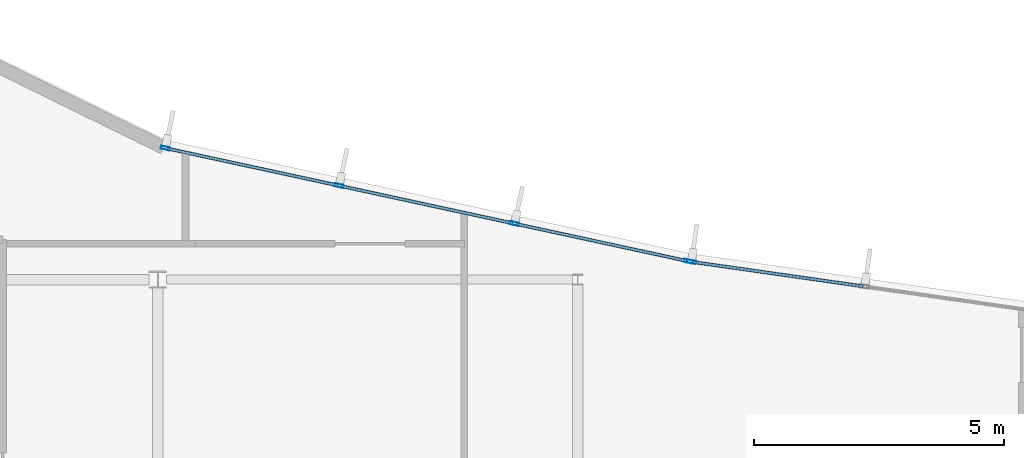
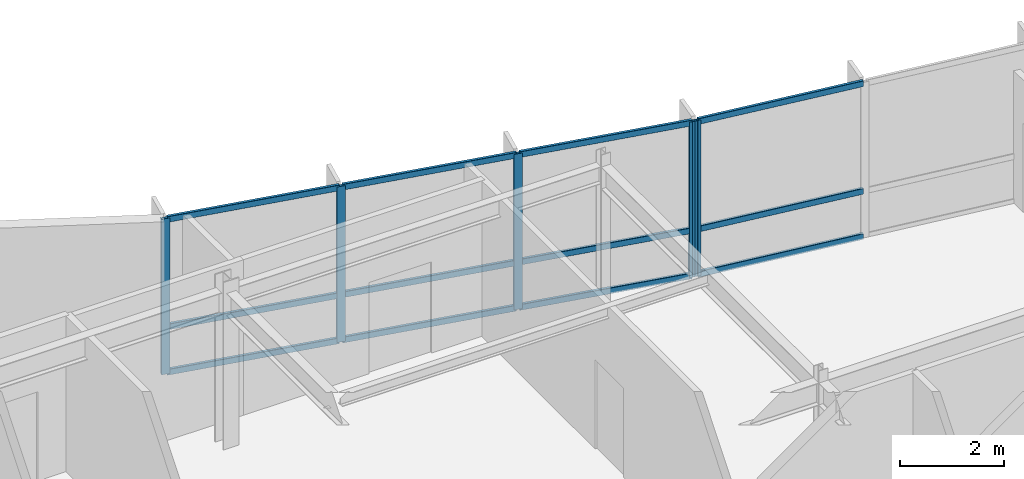
# One storey, part 6 of 15: 17 members, 2 elements without a shape of their own.
"""IFC4 building model written with IfcOpenShell, lengths in metres."""

from ifc_helpers import new_model, si_unit, direction, frame, origin, origin_2d, place, context, subcontext, project, spatial, hollow_rectangle, extrude, material, layer, layer_set, material_profile, profile_set, type_object, element, aggregate, save


model = new_model("IFC4")

# Units and contexts
model_context = context("Model", 3, precision=1e-05, world=origin(), true_north=direction((0.0, 1.0)))
body_context = subcontext(model_context, "Body", "Model", "MODEL_VIEW")
ifc_project = project(units=[si_unit("LENGTHUNIT", "METRE"), si_unit("AREAUNIT", "SQUARE_METRE"), si_unit("VOLUMEUNIT", "CUBIC_METRE"), si_unit("PLANEANGLEUNIT", "RADIAN"), si_unit("MASSUNIT", "GRAM", prefix="KILO")], contexts=[model_context])

# Site, building, storey
site_placement = place(None, origin())
site = spatial("IfcSite", under=ifc_project, at=site_placement, CompositionType="ELEMENT")
building_placement = place(site_placement, origin())
building = spatial("IfcBuilding", under=site, at=building_placement, Name="Varnakote Quay Hospital", CompositionType="ELEMENT")
storey_placement = place(building_placement, frame((0.0, 0.0, 300.0)))
storey = spatial("IfcBuildingStorey", under=building, at=storey_placement, Name="L74", CompositionType="ELEMENT", Elevation=300.0)

# Curtain wall, member
ifc_material_1 = material(Name="Anodised aluminium 6063-T6 Bronze", Category="aluminium")
ifc_layer = layer(ifc_material_1, 0.235107421875)
ifc_layer_set = layer_set([ifc_layer], Name="Anodised aluminium 6063-T6 Bronze")
curtain_wall_type = type_object("IfcCurtainWallType", Name="CW-SYS-5", PredefinedType="NOTDEFINED", material=ifc_layer_set)
curtain_wall_1_placement = place(storey_placement, origin())
curtain_wall_1 = element("IfcCurtainWall", 1, at=curtain_wall_1_placement, inside=storey, type_object=curtain_wall_type, Name="L74 Unitised Bronze Curtain Wall 1", PredefinedType="NOTDEFINED")
ifc_material_2 = material(Name="Anodised aluminium 6063-T6 Bronze", Category="aluminium")
ifc_material_profile_1 = material_profile(ifc_material_2, hollow_rectangle(XDim=0.06494140625, YDim=0.179931640625, WallThickness=0.00390625, InnerFilletRadius=0.00390625, OuterFilletRadius=0.008056640625, at=origin_2d()), Name="CW-MULL-180x65")
ifc_profile_set_1 = profile_set([ifc_material_profile_1], Name="Anodised aluminium 6063-T6 Bronze")
member_type_1 = type_object("IfcMemberType", Name="CW-MULL-180x65", PredefinedType="MULLION", material=ifc_profile_set_1)
member_1_placement = place(storey_placement, frame((27.475830078125, 29.15771484375, 0.0), z_axis=(0.0, 0.0, 1.0), x_axis=(-0.141571876691, -0.989927979062, 0.0)))
member_1 = element("IfcMember", 2, at=member_1_placement, type_object=member_type_1, Name="-5-L74-1 mullion 4", PredefinedType="MULLION", context=body_context, shape_type="SweptSolid", body=[
    extrude(hollow_rectangle(XDim=0.06494140625, YDim=0.179931640625, WallThickness=0.00390625, InnerFilletRadius=0.00390625, OuterFilletRadius=0.008056640625, at=origin_2d()), origin(), (0.0, 0.0, 1.0), 3.669921875),
])

# Curtain wall, members
curtain_wall_2_placement = place(storey_placement, origin())
curtain_wall_2 = element("IfcCurtainWall", 3, at=curtain_wall_2_placement, inside=storey, type_object=curtain_wall_type, Name="L74 Unitised Bronze Curtain Wall 2", PredefinedType="NOTDEFINED")
member_2_placement = place(storey_placement, frame((27.411865234375, 29.169189453125, 0.0), z_axis=(0.0, 0.0, 1.0), x_axis=(-0.211407815974, -0.97739794114, 0.0)))
member_2 = element("IfcMember", 4, at=member_2_placement, type_object=member_type_1, Name="-5-L74-2 mullion 1", PredefinedType="MULLION", context=body_context, shape_type="SweptSolid", body=[
    extrude(hollow_rectangle(XDim=0.06494140625, YDim=0.179931640625, WallThickness=0.00390625, InnerFilletRadius=0.00390625, OuterFilletRadius=0.008056640625, at=origin_2d()), origin(), (0.0, 0.0, 1.0), 3.669921875),
])
member_3_placement = place(storey_placement, frame((23.93408203125, 29.92138671875, 0.0), z_axis=(0.0, 0.0, 1.0), x_axis=(-0.211407815974, -0.97739794114, 0.0)))
member_3 = element("IfcMember", 5, at=member_3_placement, type_object=member_type_1, Name="-5-L74-2 mullion 2", PredefinedType="MULLION", context=body_context, shape_type="SweptSolid", body=[
    extrude(hollow_rectangle(XDim=0.06494140625, YDim=0.179931640625, WallThickness=0.00390625, InnerFilletRadius=0.00390625, OuterFilletRadius=0.008056640625, at=origin_2d()), origin(), (0.0, 0.0, 1.0), 3.669921875),
])
member_4_placement = place(storey_placement, frame((20.424560546875, 30.6806640625, 0.0), z_axis=(0.0, 0.0, 1.0), x_axis=(-0.211407815974, -0.97739794114, 0.0)))
member_4 = element("IfcMember", 6, at=member_4_placement, type_object=member_type_1, Name="-5-L74-2 mullion 3", PredefinedType="MULLION", context=body_context, shape_type="SweptSolid", body=[
    extrude(hollow_rectangle(XDim=0.06494140625, YDim=0.179931640625, WallThickness=0.00390625, InnerFilletRadius=0.00390625, OuterFilletRadius=0.008056640625, at=origin_2d()), origin(), (0.0, 0.0, 1.0), 3.669921875),
])
member_5_placement = place(storey_placement, frame((16.94677734375, 31.432861328125, 0.0), z_axis=(0.0, 0.0, 1.0), x_axis=(-0.211407815974, -0.97739794114, 0.0)))
member_5 = element("IfcMember", 7, at=member_5_placement, type_object=member_type_1, Name="-5-L74-2 mullion 4", PredefinedType="MULLION", context=body_context, shape_type="SweptSolid", body=[
    extrude(hollow_rectangle(XDim=0.06494140625, YDim=0.179931640625, WallThickness=0.00390625, InnerFilletRadius=0.00390625, OuterFilletRadius=0.008056640625, at=origin_2d()), origin(), (0.0, 0.0, 1.0), 3.669921875),
])

# Member
ifc_material_3 = material(Name="Anodised aluminium 6063-T6 Bronze", Category="aluminium")
ifc_material_profile_2 = material_profile(ifc_material_3, hollow_rectangle(XDim=0.06494140625, YDim=0.139892578125, WallThickness=0.00390625, InnerFilletRadius=0.00390625, OuterFilletRadius=0.007568359375, at=origin_2d()), Name="CW-TRAN-140x65")
ifc_profile_set_2 = profile_set([ifc_material_profile_2], Name="Anodised aluminium 6063-T6 Bronze")
member_type_2 = type_object("IfcMemberType", Name="CW-TRAN-140x65", PredefinedType="USERDEFINED", material=ifc_profile_set_2)
member_6_placement = place(storey_placement, frame((30.910400390625, 28.666748046875, 0.032470703125), z_axis=(-0.989938124929, 0.141500914528, 0.0), x_axis=(-0.141500914528, -0.989938124929, 0.0)))
member_6 = element("IfcMember", 8, at=member_6_placement, type_object=member_type_2, Name="-5-L74-1 transom 3.1", ObjectType="TRANSOM", PredefinedType="USERDEFINED", context=body_context, shape_type="SweptSolid", body=[
    extrude(hollow_rectangle(XDim=0.06494140625, YDim=0.139892578125, WallThickness=0.00390625, InnerFilletRadius=0.00390625, OuterFilletRadius=0.007568359375, at=origin_2d()), origin(), (0.0, 0.0, 1.0), 3.43701171875),
])

member_7_placement = place(storey_placement, frame((30.910400390625, 28.666748046875, 1.10009765625), z_axis=(-0.989938124929, 0.141500914528, 0.0), x_axis=(-0.141500914528, -0.989938124929, 0.0)))
member_7 = element("IfcMember", 9, at=member_7_placement, type_object=member_type_2, Name="-5-L74-1 transom 3.2", ObjectType="TRANSOM", PredefinedType="USERDEFINED", context=body_context, shape_type="SweptSolid", body=[
    extrude(hollow_rectangle(XDim=0.06494140625, YDim=0.139892578125, WallThickness=0.00390625, InnerFilletRadius=0.00390625, OuterFilletRadius=0.007568359375, at=origin_2d()), origin(), (0.0, 0.0, 1.0), 3.43701171875),
])

member_8_placement = place(storey_placement, frame((30.910400390625, 28.666748046875, 3.637451171875), z_axis=(-0.989938124929, 0.141500914528, 0.0), x_axis=(-0.141500914528, -0.989938124929, 0.0)))
member_8 = element("IfcMember", 10, at=member_8_placement, type_object=member_type_2, Name="-5-L74-1 transom 3.3", ObjectType="TRANSOM", PredefinedType="USERDEFINED", context=body_context, shape_type="SweptSolid", body=[
    extrude(hollow_rectangle(XDim=0.06494140625, YDim=0.139892578125, WallThickness=0.00390625, InnerFilletRadius=0.00390625, OuterFilletRadius=0.007568359375, at=origin_2d()), origin(), (0.0, 0.0, 1.0), 3.43701171875),
])

aggregate(curtain_wall_1, [member_1, member_6, member_7, member_8])

member_9_placement = place(storey_placement, frame((27.380126953125, 29.176025390625, 0.032470703125), z_axis=(-0.977396604486, 0.211413995608, 0.0), x_axis=(-0.211413995608, -0.977396604486, 0.0)))
member_9 = element("IfcMember", 11, at=member_9_placement, type_object=member_type_2, Name="-5-L74-2 transom 1.1", ObjectType="TRANSOM", PredefinedType="USERDEFINED", context=body_context, shape_type="SweptSolid", body=[
    extrude(hollow_rectangle(XDim=0.06494140625, YDim=0.139892578125, WallThickness=0.00390625, InnerFilletRadius=0.00390625, OuterFilletRadius=0.007568359375, at=origin_2d()), origin(), (0.0, 0.0, 1.0), 3.4931640625),
])

member_10_placement = place(storey_placement, frame((27.380126953125, 29.176025390625, 1.10009765625), z_axis=(-0.977396604486, 0.211413995608, 0.0), x_axis=(-0.211413995608, -0.977396604486, 0.0)))
member_10 = element("IfcMember", 12, at=member_10_placement, type_object=member_type_2, Name="-5-L74-2 transom 1.2", ObjectType="TRANSOM", PredefinedType="USERDEFINED", context=body_context, shape_type="SweptSolid", body=[
    extrude(hollow_rectangle(XDim=0.06494140625, YDim=0.139892578125, WallThickness=0.00390625, InnerFilletRadius=0.00390625, OuterFilletRadius=0.007568359375, at=origin_2d()), origin(), (0.0, 0.0, 1.0), 3.4931640625),
])

member_11_placement = place(storey_placement, frame((27.380126953125, 29.176025390625, 3.637451171875), z_axis=(-0.977396604486, 0.211413995608, 0.0), x_axis=(-0.211413995608, -0.977396604486, 0.0)))
member_11 = element("IfcMember", 13, at=member_11_placement, type_object=member_type_2, Name="-5-L74-2 transom 1.3", ObjectType="TRANSOM", PredefinedType="USERDEFINED", context=body_context, shape_type="SweptSolid", body=[
    extrude(hollow_rectangle(XDim=0.06494140625, YDim=0.139892578125, WallThickness=0.00390625, InnerFilletRadius=0.00390625, OuterFilletRadius=0.007568359375, at=origin_2d()), origin(), (0.0, 0.0, 1.0), 3.4931640625),
])

member_12_placement = place(storey_placement, frame((23.90234375, 29.928466796875, 0.032470703125), z_axis=(-0.977398313089, 0.211406096342, 0.0), x_axis=(-0.211406096342, -0.977398313089, 0.0)))
member_12 = element("IfcMember", 14, at=member_12_placement, type_object=member_type_2, Name="-5-L74-2 transom 2.1", ObjectType="TRANSOM", PredefinedType="USERDEFINED", context=body_context, shape_type="SweptSolid", body=[
    extrude(hollow_rectangle(XDim=0.06494140625, YDim=0.139892578125, WallThickness=0.00390625, InnerFilletRadius=0.00390625, OuterFilletRadius=0.007568359375, at=origin_2d()), origin(), (0.0, 0.0, 1.0), 3.525634765625),
])

member_13_placement = place(storey_placement, frame((23.90234375, 29.928466796875, 1.10009765625), z_axis=(-0.977398313089, 0.211406096342, 0.0), x_axis=(-0.211406096342, -0.977398313089, 0.0)))
member_13 = element("IfcMember", 15, at=member_13_placement, type_object=member_type_2, Name="-5-L74-2 transom 2.2", ObjectType="TRANSOM", PredefinedType="USERDEFINED", context=body_context, shape_type="SweptSolid", body=[
    extrude(hollow_rectangle(XDim=0.06494140625, YDim=0.139892578125, WallThickness=0.00390625, InnerFilletRadius=0.00390625, OuterFilletRadius=0.007568359375, at=origin_2d()), origin(), (0.0, 0.0, 1.0), 3.525634765625),
])

member_14_placement = place(storey_placement, frame((23.90234375, 29.928466796875, 3.637451171875), z_axis=(-0.977398313089, 0.211406096342, 0.0), x_axis=(-0.211406096342, -0.977398313089, 0.0)))
member_14 = element("IfcMember", 16, at=member_14_placement, type_object=member_type_2, Name="-5-L74-2 transom 2.3", ObjectType="TRANSOM", PredefinedType="USERDEFINED", context=body_context, shape_type="SweptSolid", body=[
    extrude(hollow_rectangle(XDim=0.06494140625, YDim=0.139892578125, WallThickness=0.00390625, InnerFilletRadius=0.00390625, OuterFilletRadius=0.007568359375, at=origin_2d()), origin(), (0.0, 0.0, 1.0), 3.525634765625),
])

member_15_placement = place(storey_placement, frame((20.392822265625, 30.6875, 0.032470703125), z_axis=(-0.977396604486, 0.211413995608, 0.0), x_axis=(-0.211413995608, -0.977396604486, 0.0)))
member_15 = element("IfcMember", 17, at=member_15_placement, type_object=member_type_2, Name="-5-L74-2 transom 3.1", ObjectType="TRANSOM", PredefinedType="USERDEFINED", context=body_context, shape_type="SweptSolid", body=[
    extrude(hollow_rectangle(XDim=0.06494140625, YDim=0.139892578125, WallThickness=0.00390625, InnerFilletRadius=0.00390625, OuterFilletRadius=0.007568359375, at=origin_2d()), origin(), (0.0, 0.0, 1.0), 3.4931640625),
])

member_16_placement = place(storey_placement, frame((20.392822265625, 30.6875, 1.10009765625), z_axis=(-0.977396604486, 0.211413995608, 0.0), x_axis=(-0.211413995608, -0.977396604486, 0.0)))
member_16 = element("IfcMember", 18, at=member_16_placement, type_object=member_type_2, Name="-5-L74-2 transom 3.2", ObjectType="TRANSOM", PredefinedType="USERDEFINED", context=body_context, shape_type="SweptSolid", body=[
    extrude(hollow_rectangle(XDim=0.06494140625, YDim=0.139892578125, WallThickness=0.00390625, InnerFilletRadius=0.00390625, OuterFilletRadius=0.007568359375, at=origin_2d()), origin(), (0.0, 0.0, 1.0), 3.4931640625),
])

member_17_placement = place(storey_placement, frame((20.392822265625, 30.6875, 3.637451171875), z_axis=(-0.977396604486, 0.211413995608, 0.0), x_axis=(-0.211413995608, -0.977396604486, 0.0)))
member_17 = element("IfcMember", 19, at=member_17_placement, type_object=member_type_2, Name="-5-L74-2 transom 3.3", ObjectType="TRANSOM", PredefinedType="USERDEFINED", context=body_context, shape_type="SweptSolid", body=[
    extrude(hollow_rectangle(XDim=0.06494140625, YDim=0.139892578125, WallThickness=0.00390625, InnerFilletRadius=0.00390625, OuterFilletRadius=0.007568359375, at=origin_2d()), origin(), (0.0, 0.0, 1.0), 3.4931640625),
])

aggregate(curtain_wall_2, [member_2, member_3, member_4, member_5, member_9, member_10, member_11, member_12, member_13, member_14, member_15, member_16, member_17])

save(model, "model.ifc")
